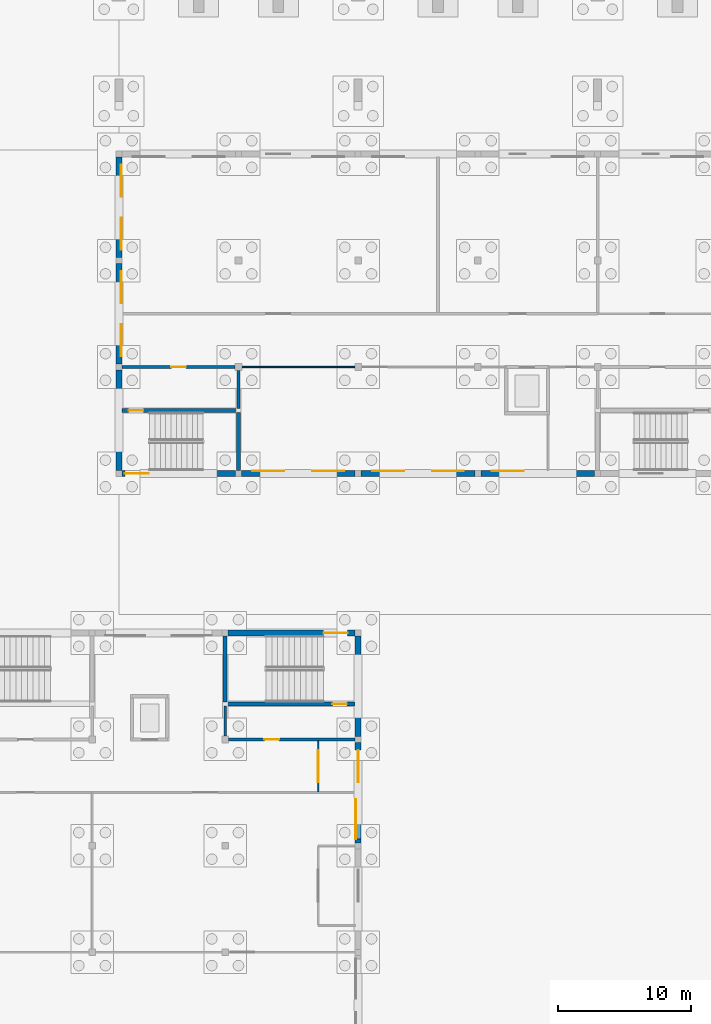
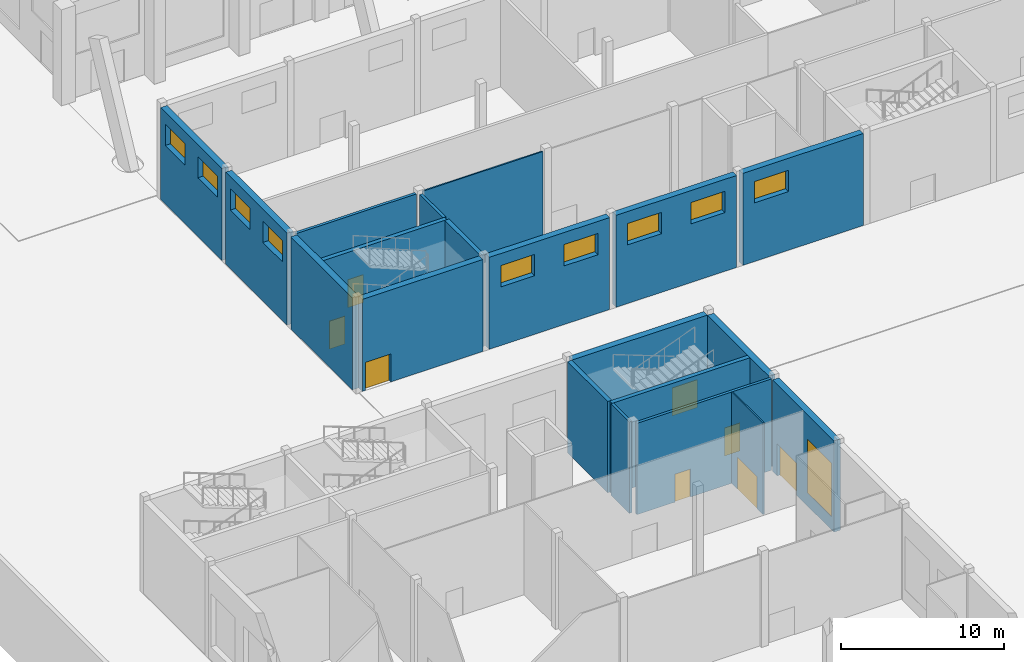
# One storey, part 168 of 239: 20 walls, 10 windows, 8 doors, 18 openings.
"""IFC4 building model written with IfcOpenShell, lengths in metres."""

import ifcopenshell
import ifcopenshell.guid

model = None  # the IFC model being written
_history = None  # IfcOwnerHistory: only IFC2X3 demands one
_inside = {}  # id of a spatial element -> (the spatial element, [elements in it])
_under = {}  # id of a project, library or spatial element -> (it, [spatial elements below it])
_declared = {}  # id of a project -> (the project, [libraries it declares])
_typed = {}  # id of a type object -> (the type object, [elements of that type])
_made_of = {}  # id of a material, layer set ... -> (it, [elements and type objects made of it])


def new_model(schema):
    """Start an empty IFC model of exactly this schema.

    Asked for "IFC4X3", IfcOpenShell would pick the latest addendum, in which some entities
    have other attributes; the version numbers below select the first issue.
    IFC2X3 requires an IfcOwnerHistory on every rooted entity: one is made here for all.
    """
    global model, _history
    if schema == "IFC4X3":
        model = ifcopenshell.file(schema_version=(4, 3, 0, 0))
    else:
        model = ifcopenshell.file(schema=schema)
    _inside.clear()
    _under.clear()
    _declared.clear()
    _typed.clear()
    _made_of.clear()
    _history = None
    if model.schema == "IFC2X3":
        org = make("IfcOrganization", Name="unknown")
        user = make(
            "IfcPersonAndOrganization",
            ThePerson=make("IfcPerson", FamilyName="unknown"),
            TheOrganization=org,
        )
        app = make(
            "IfcApplication",
            ApplicationDeveloper=org,
            Version="unknown",
            ApplicationFullName="unknown",
            ApplicationIdentifier="unknown",
        )
        _history = make(
            "IfcOwnerHistory",
            OwningUser=user,
            OwningApplication=app,
            ChangeAction="ADDED",
            CreationDate=0,
        )
    return model


def make(cls, **values):
    """One entity of the class cls with the attributes given. An attribute that is None is left unset."""
    return model.create_entity(
        cls, **{name: value for name, value in values.items() if value is not None}
    )


def rooted(cls, **values):
    """An entity with a GlobalId (a new one), such as an element, a storey or a relation."""
    return make(cls, GlobalId=ifcopenshell.guid.new(), OwnerHistory=_history, **values)


def si_unit(unit_type, name, prefix=None):
    """IfcSIUnit, for example si_unit("LENGTHUNIT", "METRE", prefix="MILLI")."""
    return make("IfcSIUnit", UnitType=unit_type, Prefix=prefix, Name=name)


def assignment(units):
    """IfcUnitAssignment: the units of a project."""
    return None if units is None else make("IfcUnitAssignment", Units=units)


def point(xyz):
    """IfcCartesianPoint."""
    return None if xyz is None else make("IfcCartesianPoint", Coordinates=xyz)


def direction(xyz):
    """IfcDirection."""
    return None if xyz is None else make("IfcDirection", DirectionRatios=xyz)


def frame(location, z_axis=None, x_axis=None):
    """IfcAxis2Placement3D, a coordinate frame: its origin and axes. An axis left out is left unset."""
    return make(
        "IfcAxis2Placement3D",
        Location=point(location),
        Axis=direction(z_axis),
        RefDirection=direction(x_axis),
    )


def frame_2d(location, x_axis=None):
    """IfcAxis2Placement2D, a coordinate frame in the plane: its origin and x axis."""
    return make(
        "IfcAxis2Placement2D", Location=point(location), RefDirection=direction(x_axis)
    )


def origin():
    """The frame at (0, 0, 0) with its axes left unset."""
    return frame((0.0, 0.0, 0.0))


def place(relative_to, where):
    """IfcLocalPlacement: puts the frame where relative to a parent placement (None: the world)."""
    return make(
        "IfcLocalPlacement", PlacementRelTo=relative_to, RelativePlacement=where
    )


def context(
    kind, dimensions, precision=None, world=None, true_north=None, identifier=None
):
    """IfcGeometricRepresentationContext, for example the 3D "Model" context."""
    return make(
        "IfcGeometricRepresentationContext",
        ContextIdentifier=identifier,
        ContextType=kind,
        CoordinateSpaceDimension=dimensions,
        Precision=precision,
        WorldCoordinateSystem=world,
        TrueNorth=true_north,
    )


def subcontext(parent, identifier, kind, view, scale=None):
    """IfcGeometricRepresentationSubContext, for example "Body" below "Model"."""
    return make(
        "IfcGeometricRepresentationSubContext",
        ContextIdentifier=identifier,
        ContextType=kind,
        ParentContext=parent,
        TargetScale=scale,
        TargetView=view,
    )


def project(units=None, contexts=None):
    """IfcProject with its units and contexts."""
    return rooted(
        "IfcProject",
        Name="project",
        RepresentationContexts=contexts,
        UnitsInContext=assignment(units),
    )


def spatial(cls, under=None, at=None, **own):
    """A site, building, storey or space (cls), placed at a placement, below another one or the project."""
    s = rooted(cls, ObjectPlacement=at, **own)
    if under is not None:
        _under.setdefault(under.id(), (under, []))[1].append(s)
    return s


def profile(cls, at=None, kind="AREA", **sizes):
    """A parametric profile (cls). Its sizes go by their IFC names, for example OverallWidth=200.0."""
    return make(cls, ProfileType=kind, Position=at, **sizes)


def rectangle(**sizes):
    """IfcRectangleProfileDef."""
    return profile("IfcRectangleProfileDef", **sizes)


def extrude(swept, where, along, depth):
    """IfcExtrudedAreaSolid: the profile swept, set in the frame where, extruded along a direction by depth."""
    return make(
        "IfcExtrudedAreaSolid",
        SweptArea=swept,
        Position=where,
        ExtrudedDirection=direction(along),
        Depth=depth,
    )


def shape(context_of_items, identifier, shape_type, items):
    """IfcShapeRepresentation: the items that make up one representation, for example the "Body"."""
    return make(
        "IfcShapeRepresentation",
        ContextOfItems=context_of_items,
        RepresentationIdentifier=identifier,
        RepresentationType=shape_type,
        Items=items,
    )


def material(Name=None, Category=None):
    """IfcMaterial."""
    return make("IfcMaterial", Name=Name, Category=Category)


def layer(
    of_material, thickness, ventilated=None, Name=None, Category=None, Priority=None
):
    """IfcMaterialLayer: one layer of a wall or slab, of a material (None: an air gap)."""
    return make(
        "IfcMaterialLayer",
        Material=of_material,
        LayerThickness=thickness,
        IsVentilated=ventilated,
        Name=Name,
        Category=Category,
        Priority=Priority,
    )


def layer_set(layers, Name=None):
    """IfcMaterialLayerSet."""
    return make("IfcMaterialLayerSet", MaterialLayers=layers, LayerSetName=Name)


def made_of(thing, what):
    """Note that an element or type object is made of a material, layer set ...; save() writes the relation."""
    if what is not None:
        _made_of.setdefault(what.id(), (what, []))[1].append(thing)
    return thing


def type_object(cls, material=None, **own):
    """A type object (cls), such as IfcWallType, which elements share."""
    return made_of(rooted(cls, **own), material)


def element(
    cls,
    number,
    at=None,
    inside=None,
    cuts=None,
    type_object=None,
    material=None,
    context=None,
    identifier="Body",
    shape_type=None,
    held_by="IfcProductDefinitionShape",
    body=None,
    shapes=None,
    **own,
):
    """One element of the class cls, such as IfcWall. Its Tag is "e" and its number.

    at: its placement. inside: the storey or other place that contains it. cuts: it is an
    opening in that element (IfcRelVoidsElement). A single representation is given by context,
    identifier, shape_type and body (its items); several are given by shapes. held_by: the class
    of the entity that holds the representations. save() writes the other relations.
    """
    e = rooted(cls, Tag="e%d" % number, ObjectPlacement=at, **own)
    if body is not None:
        shapes = [shape(context, identifier, shape_type, body)]
    if shapes is not None:
        e.Representation = make(held_by, Representations=shapes)
    if inside is not None:
        _inside.setdefault(inside.id(), (inside, []))[1].append(e)
    if cuts is not None:
        rooted(
            "IfcRelVoidsElement", RelatingBuildingElement=cuts, RelatedOpeningElement=e
        )
    if type_object is not None:
        _typed.setdefault(type_object.id(), (type_object, []))[1].append(e)
    return made_of(e, material)


def fill(opening, filler):
    """IfcRelFillsElement: the door or window that sits in an opening."""
    return rooted(
        "IfcRelFillsElement",
        RelatingOpeningElement=opening,
        RelatedBuildingElement=filler,
    )


def aggregate(whole, parts):
    """IfcRelAggregates: a whole, such as a stair, and the parts it consists of."""
    return rooted("IfcRelAggregates", RelatingObject=whole, RelatedObjects=parts)


def save(model, path):
    """Write the relations noted so far, then the file.

    IfcRelAggregates (storeys below a building ...), IfcRelContainedInSpatialStructure (elements
    in a storey), IfcRelDefinesByType, IfcRelAssociatesMaterial and IfcRelDeclares: one each for
    every whole, place, type object, material and project.
    """
    for whole, parts in _under.values():
        aggregate(whole, parts)
    for where, things in _inside.values():
        rooted(
            "IfcRelContainedInSpatialStructure",
            RelatedElements=things,
            RelatingStructure=where,
        )
    for kind, things in _typed.values():
        rooted("IfcRelDefinesByType", RelatedObjects=things, RelatingType=kind)
    for what, things in _made_of.values():
        rooted("IfcRelAssociatesMaterial", RelatedObjects=things, RelatingMaterial=what)
    for by, libraries in _declared.values():
        rooted("IfcRelDeclares", RelatingContext=by, RelatedDefinitions=libraries)
    model.write(path)


model = new_model("IFC4")

# Units and contexts
model_context = context("Model", 3, precision=1e-05, world=origin(), true_north=direction((0.0, 1.0)))
body_context = subcontext(model_context, "Body", "Model", "MODEL_VIEW")
ifc_project = project(units=[si_unit("LENGTHUNIT", "METRE"), si_unit("AREAUNIT", "SQUARE_METRE"), si_unit("VOLUMEUNIT", "CUBIC_METRE"), si_unit("PLANEANGLEUNIT", "RADIAN"), si_unit("MASSUNIT", "GRAM", prefix="KILO")], contexts=[model_context])

# Site, building, storey
site_placement = place(None, origin())
site = spatial("IfcSite", under=ifc_project, at=site_placement, CompositionType="ELEMENT")
building_placement = place(site_placement, origin())
building = spatial("IfcBuilding", under=site, at=building_placement, Name="Okhra Congress Centre", CompositionType="ELEMENT")
storey_placement = place(building_placement, origin())
storey = spatial("IfcBuildingStorey", under=building, at=storey_placement, Name="L00", CompositionType="ELEMENT", Elevation=0.0)

# Wall, opening, door
ifc_material_1 = material(Name="Masonry blockwork (aerated concrete D500)", Category="masonry")
ifc_layer_1 = layer(ifc_material_1, 0.199951171875)
ifc_layer_set_1 = layer_set([ifc_layer_1], Name="Masonry block wall 200 EI 45")
wall_type_1 = type_object("IfcWallType", Name="Masonry block wall 200 EI 45", PredefinedType="SOLIDWALL", material=ifc_layer_set_1)
wall_1_placement = place(storey_placement, frame((28.22509765625, 104.0, 0.0), z_axis=(0.0, 0.0, 1.0), x_axis=(1.0, 0.0, 0.0)))
wall_1 = element("IfcWall", 1, at=wall_1_placement, inside=storey, type_object=wall_type_1, Name="SV.WALL.L00.15", PredefinedType="SOLIDWALL", context=body_context, shape_type="SweptSolid", body=[
    extrude(rectangle(XDim=8.52490234375, YDim=0.199951171875, at=frame_2d((4.262451171875, 0.0))), origin(), (0.0, 0.0, 1.0), 6.89990234375),
])
opening_1_placement = place(wall_1_placement, frame((3.72509765625, 0.0, 0.0)))
opening_1 = element("IfcOpeningElement", 2, at=opening_1_placement, cuts=wall_1, Name="Opening L00-135", PredefinedType="OPENING", context=body_context, shape_type="SweptSolid", body=[
    extrude(rectangle(XDim=1.10009765625, YDim=2.10009765625, at=frame_2d((0.550048828125, 1.050048828125))), frame((0.0, 0.10986328125, 0.0), z_axis=(0.0, -1.0, 0.0), x_axis=(1.0, 0.0, 0.0)), (0.0, 0.0, 1.0), 0.219970703125),
])
ifc_material_2 = material(Name="Steel fire door leaf in steel frame, intumescent seals", Category="steel")
door_type_1 = type_object("IfcDoorType", Name="Steel fire door 1100x2100 EI 30", OperationType="NOTDEFINED", PredefinedType="DOOR", material=ifc_material_2)
door_1_placement = place(opening_1_placement, frame((1.10009765625, 0.0, 0.0), z_axis=(0.0, 0.0, 1.0), x_axis=(-1.0, 0.0, 0.0)))
door_1 = element("IfcDoor", 3, at=door_1_placement, inside=storey, type_object=door_type_1, Name="Stair A lobby door", OperationType="SINGLE_SWING_RIGHT", OverallHeight=2.10009765625, OverallWidth=1.10009765625, PredefinedType="DOOR", context=body_context, shape_type="SweptSolid", body=[
    extrude(rectangle(XDim=1.10009765625, YDim=2.10009765625, at=frame_2d((0.550048828125, 1.050048828125))), frame((0.0, 0.02490234375, 0.0), z_axis=(0.0, -1.0, 0.0), x_axis=(1.0, 0.0, 0.0)), (0.0, 0.0, 1.0), 0.050048828125),
])
fill(opening_1, door_1)

# Wall
wall_2_placement = place(storey_placement, frame((37.0, 100.875, 0.0), z_axis=(0.0, 0.0, 1.0), x_axis=(0.0, 1.0, 0.0)))
element("IfcWall", 4, at=wall_2_placement, inside=storey, type_object=wall_type_1, Name="SV.WALL.L00.46", PredefinedType="SOLIDWALL", context=body_context, shape_type="SweptSolid", body=[
    extrude(rectangle(XDim=2.875, YDim=0.199951171875, at=frame_2d((1.4375, 0.0))), origin(), (0.0, 0.0, 1.0), 6.89990234375),
])

# Wall, opening, door
wall_3_placement = place(storey_placement, frame((36.25, 76.0, 0.0), z_axis=(0.0, 0.0, 1.0), x_axis=(1.0, 0.0, 0.0)))
wall_3 = element("IfcWall", 5, at=wall_3_placement, inside=storey, type_object=wall_type_1, Name="RS.WALL.L00.22", PredefinedType="SOLIDWALL", context=body_context, shape_type="SweptSolid", body=[
    extrude(rectangle(XDim=9.52490234375, YDim=0.199951171875, at=frame_2d((4.762451171875, 0.0))), origin(), (0.0, 0.0, 1.0), 6.85009765625),
])
opening_2_placement = place(wall_3_placement, frame((2.699951171875, 0.0, 0.0)))
opening_2 = element("IfcOpeningElement", 6, at=opening_2_placement, cuts=wall_3, Name="Opening L00-172", PredefinedType="OPENING", context=body_context, shape_type="SweptSolid", body=[
    extrude(rectangle(XDim=1.10009765625, YDim=2.10009765625, at=frame_2d((0.550048828125, 1.050048828125))), frame((0.0, 0.10986328125, 0.0), z_axis=(0.0, -1.0, 0.0), x_axis=(1.0, 0.0, 0.0)), (0.0, 0.0, 1.0), 0.219970703125),
])
door_2_placement = place(opening_2_placement, origin())
door_2 = element("IfcDoor", 7, at=door_2_placement, inside=storey, type_object=door_type_1, Name="Door L00-172", OperationType="SINGLE_SWING_LEFT", OverallHeight=2.10009765625, OverallWidth=1.10009765625, PredefinedType="DOOR", context=body_context, shape_type="SweptSolid", body=[
    extrude(rectangle(XDim=1.10009765625, YDim=2.10009765625, at=frame_2d((0.550048828125, 1.050048828125))), frame((0.0, 0.02490234375, 0.0), z_axis=(0.0, -1.0, 0.0), x_axis=(1.0, 0.0, 0.0)), (0.0, 0.0, 1.0), 0.050048828125),
])
fill(opening_2, door_2)

# Walls
wall_4_placement = place(storey_placement, frame((36.0, 76.25, 0.0), z_axis=(0.0, 0.0, 1.0), x_axis=(0.0, 1.0, 0.0)))
element("IfcWall", 8, at=wall_4_placement, inside=storey, type_object=wall_type_1, Name="RS.WALL.L00.54", PredefinedType="SOLIDWALL", context=body_context, shape_type="SweptSolid", body=[
    extrude(rectangle(XDim=2.27490234375, YDim=0.199951171875, at=frame_2d((1.137451171875, 0.0))), origin(), (0.0, 0.0, 1.0), 6.85009765625),
])
ifc_material_3 = material(Name="Gypsum board on steel studs", Category="steel")
ifc_layer_2 = layer(ifc_material_3, 0.10009765625)
ifc_layer_set_2 = layer_set([ifc_layer_2], Name="Partition 100 EI 15")
wall_type_2 = type_object("IfcWallType", Name="Partition 100 EI 15", PredefinedType="PARTITIONING", material=ifc_layer_set_2)
wall_5_placement = place(storey_placement, frame((37.25, 104.0, 0.0), z_axis=(0.0, 0.0, 1.0), x_axis=(1.0, 0.0, 0.0)))
element("IfcWall", 9, at=wall_5_placement, inside=storey, type_object=wall_type_2, Name="SV.WALL.L00.16", PredefinedType="PARTITIONING", context=body_context, shape_type="SweptSolid", body=[
    extrude(rectangle(XDim=8.5, YDim=0.10009765625, at=frame_2d((4.25, 0.0))), origin(), (0.0, 0.0, 1.0), 6.89990234375),
])

# Wall, opening, door
wall_6_placement = place(storey_placement, frame((43.0, 72.050048828125, 0.0), z_axis=(0.0, 0.0, 1.0), x_axis=(0.0, 1.0, 0.0)))
wall_6 = element("IfcWall", 10, at=wall_6_placement, inside=storey, type_object=wall_type_2, Name="RS.WALL.L00.59", PredefinedType="PARTITIONING", context=body_context, shape_type="SweptSolid", body=[
    extrude(rectangle(XDim=3.849853515625, YDim=0.10009765625, at=frame_2d((1.9248046875, 0.0))), origin(), (0.0, 0.0, 1.0), 6.85009765625),
])
opening_3_placement = place(wall_6_placement, frame((0.75, 0.0, 0.0)))
opening_3 = element("IfcOpeningElement", 11, at=opening_3_placement, cuts=wall_6, Name="Opening L00-192", PredefinedType="OPENING", context=body_context, shape_type="SweptSolid", body=[
    extrude(rectangle(XDim=2.39990234375, YDim=2.39990234375, at=frame_2d((1.199951171875, 1.199951171875))), frame((0.0, 0.06005859375, 0.0), z_axis=(0.0, -1.0, 0.0), x_axis=(1.0, 0.0, 0.0)), (0.0, 0.0, 1.0), 0.1201171875),
])
ifc_material_4 = material(Name="Aluminium-framed toughened glass door leaves", Category="aluminium")
door_type_2 = type_object("IfcDoorType", Name="Aluminium glazed door pair 2400x2400", OperationType="NOTDEFINED", PredefinedType="DOOR", material=ifc_material_4)
door_3_placement = place(opening_3_placement, frame((2.39990234375, 0.0, 0.0), z_axis=(0.0, 0.0, 1.0), x_axis=(-1.0, 0.0, 0.0)))
door_3 = element("IfcDoor", 12, at=door_3_placement, inside=storey, type_object=door_type_2, Name="Door L00-192", OperationType="DOUBLE_DOOR_SINGLE_SWING", OverallHeight=2.39990234375, OverallWidth=2.39990234375, PredefinedType="DOOR", context=body_context, shape_type="SweptSolid", body=[
    extrude(rectangle(XDim=2.39990234375, YDim=2.39990234375, at=frame_2d((1.199951171875, 1.199951171875))), frame((0.0, 0.02490234375, 0.0), z_axis=(0.0, -1.0, 0.0), x_axis=(1.0, 0.0, 0.0)), (0.0, 0.0, 1.0), 0.050048828125),
])
fill(opening_3, door_3)

ifc_material_5 = material(Name="Concrete C35/45", Category="concrete")
ifc_layer_3 = layer(ifc_material_5, 0.300048828125)
ifc_layer_set_3 = layer_set([ifc_layer_3], Name="RC core wall 300 REI 120 C35/45")
wall_type_3 = type_object("IfcWallType", Name="RC core wall 300 REI 120 C35/45", PredefinedType="SHEAR", material=ifc_layer_set_3)
wall_7_placement = place(storey_placement, frame((28.22509765625, 100.72509765625, 0.0), z_axis=(0.0, 0.0, 1.0), x_axis=(1.0, 0.0, 0.0)))
wall_7 = element("IfcWall", 13, at=wall_7_placement, inside=storey, type_object=wall_type_3, Name="SV.WALL.L00.12", PredefinedType="SHEAR", context=body_context, shape_type="SweptSolid", body=[
    extrude(rectangle(XDim=8.77490234375, YDim=0.300048828125, at=frame_2d((4.387451171875, 0.0))), origin(), (0.0, 0.0, 1.0), 6.89990234375),
])
opening_4_placement = place(wall_7_placement, frame((0.52490234375, 0.0, 0.0)))
opening_4 = element("IfcOpeningElement", 14, at=opening_4_placement, cuts=wall_7, Name="Opening L00-136", PredefinedType="OPENING", context=body_context, shape_type="SweptSolid", body=[
    extrude(rectangle(XDim=1.10009765625, YDim=2.10009765625, at=frame_2d((0.550048828125, 1.050048828125))), frame((0.0, 0.159912109375, 0.0), z_axis=(0.0, -1.0, 0.0), x_axis=(1.0, 0.0, 0.0)), (0.0, 0.0, 1.0), 0.320068359375),
])
door_4_placement = place(opening_4_placement, frame((1.10009765625, 0.0, 0.0), z_axis=(0.0, 0.0, 1.0), x_axis=(-1.0, 0.0, 0.0)))
door_4 = element("IfcDoor", 15, at=door_4_placement, inside=storey, type_object=door_type_1, Name="Door L00-136", OperationType="SINGLE_SWING_LEFT", OverallHeight=2.10009765625, OverallWidth=1.10009765625, PredefinedType="DOOR", context=body_context, shape_type="SweptSolid", body=[
    extrude(rectangle(XDim=1.10009765625, YDim=2.10009765625, at=frame_2d((0.550048828125, 1.050048828125))), frame((0.0, 0.02490234375, 0.0), z_axis=(0.0, -1.0, 0.0), x_axis=(1.0, 0.0, 0.0)), (0.0, 0.0, 1.0), 0.050048828125),
])
fill(opening_4, door_4)

# Wall
wall_8_placement = place(storey_placement, frame((37.0, 96.22509765625, 0.0), z_axis=(0.0, 0.0, 1.0), x_axis=(0.0, 1.0, 0.0)))
element("IfcWall", 16, at=wall_8_placement, inside=storey, type_object=wall_type_3, Name="SV.WALL.L00.45", PredefinedType="SHEAR", context=body_context, shape_type="SweptSolid", body=[
    extrude(rectangle(XDim=4.349853515625, YDim=0.300048828125, at=frame_2d((2.1748046875, 0.0))), origin(), (0.0, 0.0, 1.0), 6.89990234375),
])

# Wall, opening, door
wall_9_placement = place(storey_placement, frame((36.0, 78.675048828125, 0.0), z_axis=(0.0, 0.0, 1.0), x_axis=(1.0, 0.0, 0.0)))
wall_9 = element("IfcWall", 17, at=wall_9_placement, inside=storey, type_object=wall_type_3, Name="RS.WALL.L00.24", PredefinedType="SHEAR", context=body_context, shape_type="SweptSolid", body=[
    extrude(rectangle(XDim=9.77490234375, YDim=0.300048828125, at=frame_2d((4.887451171875, 0.0))), origin(), (0.0, 0.0, 1.0), 6.85009765625),
])
opening_5_placement = place(wall_9_placement, frame((8.050048828125, 0.0, 0.0)))
opening_5 = element("IfcOpeningElement", 18, at=opening_5_placement, cuts=wall_9, Name="Opening L00-173", PredefinedType="OPENING", context=body_context, shape_type="SweptSolid", body=[
    extrude(rectangle(XDim=1.10009765625, YDim=2.10009765625, at=frame_2d((0.550048828125, 1.050048828125))), frame((0.0, 0.159912109375, 0.0), z_axis=(0.0, -1.0, 0.0), x_axis=(1.0, 0.0, 0.0)), (0.0, 0.0, 1.0), 0.320068359375),
])
door_5_placement = place(opening_5_placement, origin())
door_5 = element("IfcDoor", 19, at=door_5_placement, inside=storey, type_object=door_type_1, Name="Door L00-173", OperationType="SINGLE_SWING_RIGHT", OverallHeight=2.10009765625, OverallWidth=1.10009765625, PredefinedType="DOOR", context=body_context, shape_type="SweptSolid", body=[
    extrude(rectangle(XDim=1.10009765625, YDim=2.10009765625, at=frame_2d((0.550048828125, 1.050048828125))), frame((0.0, 0.02490234375, 0.0), z_axis=(0.0, -1.0, 0.0), x_axis=(1.0, 0.0, 0.0)), (0.0, 0.0, 1.0), 0.050048828125),
])
fill(opening_5, door_5)

# Wall
wall_10_placement = place(storey_placement, frame((36.0, 78.824951171875, 0.0), z_axis=(0.0, 0.0, 1.0), x_axis=(0.0, 1.0, 0.0)))
element("IfcWall", 20, at=wall_10_placement, inside=storey, type_object=wall_type_3, Name="RS.WALL.L00.55", PredefinedType="SHEAR", context=body_context, shape_type="SweptSolid", body=[
    extrude(rectangle(XDim=4.949951171875, YDim=0.300048828125, at=frame_2d((2.47509765625, 0.0))), origin(), (0.0, 0.0, 1.0), 6.85009765625),
])

# Wall, opening, door
ifc_material_6 = material(Name="Concrete C30/37", Category="concrete")
ifc_layer_4 = layer(ifc_material_6, 0.449951171875)
ifc_layer_set_4 = layer_set([ifc_layer_4], Name="RC facade wall 450 REI 120 C30/37")
wall_type_4 = type_object("IfcWallType", Name="RC facade wall 450 REI 120 C30/37", PredefinedType="SOLIDWALL", material=ifc_layer_set_4)
wall_11_placement = place(storey_placement, frame((28.22509765625, 96.0, 0.0), z_axis=(0.0, 0.0, 1.0), x_axis=(1.0, 0.0, 0.0)))
wall_11 = element("IfcWall", 21, at=wall_11_placement, inside=storey, type_object=wall_type_4, Name="SV.WALL.L00.1", PredefinedType="SOLIDWALL", context=body_context, shape_type="SweptSolid", body=[
    extrude(rectangle(XDim=8.5498046875, YDim=0.449951171875, at=frame_2d((4.27490234375, 0.0))), origin(), (0.0, 0.0, 1.0), 6.89990234375),
])
opening_6_placement = place(wall_11_placement, frame((0.22509765625, 0.0, 0.0)))
opening_6 = element("IfcOpeningElement", 22, at=opening_6_placement, cuts=wall_11, Name="Opening L00-141", PredefinedType="OPENING", context=body_context, shape_type="SweptSolid", body=[
    extrude(rectangle(XDim=1.800048828125, YDim=2.10009765625, at=frame_2d((0.89990234375, 1.050048828125))), frame((0.0, 0.23486328125, 0.0), z_axis=(0.0, -1.0, 0.0), x_axis=(1.0, 0.0, 0.0)), (0.0, 0.0, 1.0), 0.469970703125),
])
ifc_material_7 = material(Name="Steel fire door leaves in steel frame, intumescent seals", Category="steel")
door_type_3 = type_object("IfcDoorType", Name="Steel fire door pair 1800x2100 EI 30", OperationType="NOTDEFINED", PredefinedType="DOOR", material=ifc_material_7)
door_6_placement = place(opening_6_placement, frame((1.800048828125, 0.0, 0.0), z_axis=(0.0, 0.0, 1.0), x_axis=(-1.0, 0.0, 0.0)))
door_6 = element("IfcDoor", 23, at=door_6_placement, inside=storey, type_object=door_type_3, Name="Door L00-141", OperationType="DOUBLE_DOOR_SINGLE_SWING", OverallHeight=2.10009765625, OverallWidth=1.800048828125, PredefinedType="DOOR", context=body_context, shape_type="SweptSolid", body=[
    extrude(rectangle(XDim=1.800048828125, YDim=2.10009765625, at=frame_2d((0.89990234375, 1.050048828125))), frame((0.0, 0.02490234375, 0.0), z_axis=(0.0, -1.0, 0.0), x_axis=(1.0, 0.0, 0.0)), (0.0, 0.0, 1.0), 0.050048828125),
])
fill(opening_6, door_6)

# Wall
wall_12_placement = place(storey_placement, frame((28.0, 103.77490234375, 0.0), z_axis=(0.0, 0.0, 1.0), x_axis=(0.0, -1.0, 0.0)))
element("IfcWall", 24, at=wall_12_placement, inside=storey, type_object=wall_type_4, Name="SV.WALL.L00.42", PredefinedType="SOLIDWALL", context=body_context, shape_type="SweptSolid", body=[
    extrude(rectangle(XDim=7.5498046875, YDim=0.449951171875, at=frame_2d((3.77490234375, 0.0))), origin(), (0.0, 0.0, 1.0), 6.89990234375),
])

# Wall, opening, door
wall_13_placement = place(storey_placement, frame((45.77490234375, 84.0, 0.0), z_axis=(0.0, 0.0, 1.0), x_axis=(-1.0, 0.0, 0.0)))
wall_13 = element("IfcWall", 25, at=wall_13_placement, inside=storey, type_object=wall_type_4, Name="RS.WALL.L00.29", PredefinedType="SOLIDWALL", context=body_context, shape_type="SweptSolid", body=[
    extrude(rectangle(XDim=9.5498046875, YDim=0.449951171875, at=frame_2d((4.77490234375, 0.0))), origin(), (0.0, 0.0, 1.0), 6.85009765625),
])
opening_7_placement = place(wall_13_placement, frame((0.574951171875, 0.0, 0.0)))
opening_7 = element("IfcOpeningElement", 26, at=opening_7_placement, cuts=wall_13, Name="Opening L00-196", PredefinedType="OPENING", context=body_context, shape_type="SweptSolid", body=[
    extrude(rectangle(XDim=1.800048828125, YDim=2.10009765625, at=frame_2d((0.89990234375, 1.050048828125))), frame((0.0, 0.23486328125, 0.0), z_axis=(0.0, -1.0, 0.0), x_axis=(1.0, 0.0, 0.0)), (0.0, 0.0, 1.0), 0.469970703125),
])
door_7_placement = place(opening_7_placement, frame((1.800048828125, 0.0, 0.0), z_axis=(0.0, 0.0, 1.0), x_axis=(-1.0, 0.0, 0.0)))
door_7 = element("IfcDoor", 27, at=door_7_placement, inside=storey, type_object=door_type_3, Name="Door L00-196", OperationType="DOUBLE_DOOR_SINGLE_SWING", OverallHeight=2.10009765625, OverallWidth=1.800048828125, PredefinedType="DOOR", context=body_context, shape_type="SweptSolid", body=[
    extrude(rectangle(XDim=1.800048828125, YDim=2.10009765625, at=frame_2d((0.89990234375, 1.050048828125))), frame((0.0, 0.02490234375, 0.0), z_axis=(0.0, -1.0, 0.0), x_axis=(1.0, 0.0, 0.0)), (0.0, 0.0, 1.0), 0.050048828125),
])
fill(opening_7, door_7)

# Wall
wall_14_placement = place(storey_placement, frame((46.0, 76.22509765625, 0.0), z_axis=(0.0, 0.0, 1.0), x_axis=(0.0, 1.0, 0.0)))
element("IfcWall", 28, at=wall_14_placement, inside=storey, type_object=wall_type_4, Name="RS.WALL.L00.66", PredefinedType="SOLIDWALL", context=body_context, shape_type="SweptSolid", body=[
    extrude(rectangle(XDim=7.5498046875, YDim=0.449951171875, at=frame_2d((3.77490234375, 0.0))), origin(), (0.0, 0.0, 1.0), 6.85009765625),
])

# Wall, openings, windows
ifc_material_8 = material(Name="Render on mineral wool insulation over masonry backing", Category="masonry")
ifc_layer_5 = layer(ifc_material_8, 0.449951171875)
ifc_layer_set_5 = layer_set([ifc_layer_5], Name="Rendered insulated wall 450")
wall_type_5 = type_object("IfcWallType", Name="Rendered insulated wall 450", PredefinedType="SOLIDWALL", material=ifc_layer_set_5)
wall_15_placement = place(storey_placement, frame((37.22509765625, 96.0, 0.0), z_axis=(0.0, 0.0, 1.0), x_axis=(1.0, 0.0, 0.0)))
wall_15 = element("IfcWall", 29, at=wall_15_placement, inside=storey, type_object=wall_type_5, Name="SV.WALL.L00.2", PredefinedType="SOLIDWALL", context=body_context, shape_type="SweptSolid", body=[
    extrude(rectangle(XDim=8.5498046875, YDim=0.449951171875, at=frame_2d((4.27490234375, 0.0))), origin(), (0.0, 0.0, 1.0), 6.89990234375),
])
opening_8_placement = place(wall_15_placement, frame((0.824951171875, 0.0, 4.39990234375)))
opening_8 = element("IfcOpeningElement", 30, at=opening_8_placement, cuts=wall_15, Name="Opening WN14", PredefinedType="OPENING", context=body_context, shape_type="SweptSolid", body=[
    extrude(rectangle(XDim=2.39990234375, YDim=1.60009765625, at=frame_2d((1.199951171875, 0.800048828125))), frame((0.0, 0.23486328125, 0.0), z_axis=(0.0, -1.0, 0.0), x_axis=(1.0, 0.0, 0.0)), (0.0, 0.0, 1.0), 0.469970703125),
])
opening_9_placement = place(wall_15_placement, frame((5.324951171875, 0.0, 4.39990234375)))
opening_9 = element("IfcOpeningElement", 31, at=opening_9_placement, cuts=wall_15, Name="Opening WN14", PredefinedType="OPENING", context=body_context, shape_type="SweptSolid", body=[
    extrude(rectangle(XDim=2.39990234375, YDim=1.60009765625, at=frame_2d((1.199951171875, 0.800048828125))), frame((0.0, 0.23486328125, 0.0), z_axis=(0.0, -1.0, 0.0), x_axis=(1.0, 0.0, 0.0)), (0.0, 0.0, 1.0), 0.469970703125),
])
ifc_material_9 = material(Name="Thermally broken aluminium frame, triple glazing", Category="aluminium")
window_type_1 = type_object("IfcWindowType", Name="Fixed window 2400x1600", PartitioningType="SINGLE_PANEL", PredefinedType="WINDOW", material=ifc_material_9)
window_1_placement = place(opening_8_placement, origin())
window_1 = element("IfcWindow", 32, at=window_1_placement, inside=storey, type_object=window_type_1, Name="SV.WIN.L00.1", OverallHeight=1.60009765625, OverallWidth=2.39990234375, PartitioningType="SINGLE_PANEL", PredefinedType="WINDOW", context=body_context, shape_type="SweptSolid", body=[
    extrude(rectangle(XDim=2.39990234375, YDim=1.60009765625, at=frame_2d((1.199951171875, 0.800048828125))), frame((0.0, 0.215087890625, 0.0), z_axis=(0.0, -1.0, 0.0), x_axis=(1.0, 0.0, 0.0)), (0.0, 0.0, 1.0), 0.06005859375),
])
fill(opening_8, window_1)
window_2_placement = place(opening_9_placement, origin())
window_2 = element("IfcWindow", 33, at=window_2_placement, inside=storey, type_object=window_type_1, Name="SV.WIN.L00.2", OverallHeight=1.60009765625, OverallWidth=2.39990234375, PartitioningType="SINGLE_PANEL", PredefinedType="WINDOW", context=body_context, shape_type="SweptSolid", body=[
    extrude(rectangle(XDim=2.39990234375, YDim=1.60009765625, at=frame_2d((1.199951171875, 0.800048828125))), frame((0.0, 0.215087890625, 0.0), z_axis=(0.0, -1.0, 0.0), x_axis=(1.0, 0.0, 0.0)), (0.0, 0.0, 1.0), 0.06005859375),
])
fill(opening_9, window_2)

wall_16_placement = place(storey_placement, frame((46.22509765625, 96.0, 0.0), z_axis=(0.0, 0.0, 1.0), x_axis=(1.0, 0.0, 0.0)))
wall_16 = element("IfcWall", 34, at=wall_16_placement, inside=storey, type_object=wall_type_5, Name="SV.WALL.L00.3", PredefinedType="SOLIDWALL", context=body_context, shape_type="SweptSolid", body=[
    extrude(rectangle(XDim=8.5498046875, YDim=0.449951171875, at=frame_2d((4.27490234375, 0.0))), origin(), (0.0, 0.0, 1.0), 6.89990234375),
])
opening_10_placement = place(wall_16_placement, frame((0.824951171875, 0.0, 4.39990234375)))
opening_10 = element("IfcOpeningElement", 35, at=opening_10_placement, cuts=wall_16, Name="Opening WN14", PredefinedType="OPENING", context=body_context, shape_type="SweptSolid", body=[
    extrude(rectangle(XDim=2.39990234375, YDim=1.60009765625, at=frame_2d((1.199951171875, 0.800048828125))), frame((0.0, 0.23486328125, 0.0), z_axis=(0.0, -1.0, 0.0), x_axis=(1.0, 0.0, 0.0)), (0.0, 0.0, 1.0), 0.469970703125),
])
opening_11_placement = place(wall_16_placement, frame((5.324951171875, 0.0, 4.39990234375)))
opening_11 = element("IfcOpeningElement", 36, at=opening_11_placement, cuts=wall_16, Name="Opening WN14", PredefinedType="OPENING", context=body_context, shape_type="SweptSolid", body=[
    extrude(rectangle(XDim=2.39990234375, YDim=1.60009765625, at=frame_2d((1.199951171875, 0.800048828125))), frame((0.0, 0.23486328125, 0.0), z_axis=(0.0, -1.0, 0.0), x_axis=(1.0, 0.0, 0.0)), (0.0, 0.0, 1.0), 0.469970703125),
])
window_3_placement = place(opening_10_placement, origin())
window_3 = element("IfcWindow", 37, at=window_3_placement, inside=storey, type_object=window_type_1, Name="SV.WIN.L00.3", OverallHeight=1.60009765625, OverallWidth=2.39990234375, PartitioningType="SINGLE_PANEL", PredefinedType="WINDOW", context=body_context, shape_type="SweptSolid", body=[
    extrude(rectangle(XDim=2.39990234375, YDim=1.60009765625, at=frame_2d((1.199951171875, 0.800048828125))), frame((0.0, 0.215087890625, 0.0), z_axis=(0.0, -1.0, 0.0), x_axis=(1.0, 0.0, 0.0)), (0.0, 0.0, 1.0), 0.06005859375),
])
fill(opening_10, window_3)
window_4_placement = place(opening_11_placement, origin())
window_4 = element("IfcWindow", 38, at=window_4_placement, inside=storey, type_object=window_type_1, Name="SV.WIN.L00.4", OverallHeight=1.60009765625, OverallWidth=2.39990234375, PartitioningType="SINGLE_PANEL", PredefinedType="WINDOW", context=body_context, shape_type="SweptSolid", body=[
    extrude(rectangle(XDim=2.39990234375, YDim=1.60009765625, at=frame_2d((1.199951171875, 0.800048828125))), frame((0.0, 0.215087890625, 0.0), z_axis=(0.0, -1.0, 0.0), x_axis=(1.0, 0.0, 0.0)), (0.0, 0.0, 1.0), 0.06005859375),
])
fill(opening_11, window_4)

# Wall, opening, window
wall_17_placement = place(storey_placement, frame((55.22509765625, 96.0, 0.0), z_axis=(0.0, 0.0, 1.0), x_axis=(1.0, 0.0, 0.0)))
wall_17 = element("IfcWall", 39, at=wall_17_placement, inside=storey, type_object=wall_type_5, Name="SV.WALL.L00.4", PredefinedType="SOLIDWALL", context=body_context, shape_type="SweptSolid", body=[
    extrude(rectangle(XDim=8.5498046875, YDim=0.449951171875, at=frame_2d((4.27490234375, 0.0))), origin(), (0.0, 0.0, 1.0), 6.89990234375),
])
opening_12_placement = place(wall_17_placement, frame((0.824951171875, 0.0, 4.39990234375)))
opening_12 = element("IfcOpeningElement", 40, at=opening_12_placement, cuts=wall_17, Name="Opening WN14", PredefinedType="OPENING", context=body_context, shape_type="SweptSolid", body=[
    extrude(rectangle(XDim=2.39990234375, YDim=1.60009765625, at=frame_2d((1.199951171875, 0.800048828125))), frame((0.0, 0.23486328125, 0.0), z_axis=(0.0, -1.0, 0.0), x_axis=(1.0, 0.0, 0.0)), (0.0, 0.0, 1.0), 0.469970703125),
])
window_5_placement = place(opening_12_placement, origin())
window_5 = element("IfcWindow", 41, at=window_5_placement, inside=storey, type_object=window_type_1, Name="SV.WIN.L00.5", OverallHeight=1.60009765625, OverallWidth=2.39990234375, PartitioningType="SINGLE_PANEL", PredefinedType="WINDOW", context=body_context, shape_type="SweptSolid", body=[
    extrude(rectangle(XDim=2.39990234375, YDim=1.60009765625, at=frame_2d((1.199951171875, 0.800048828125))), frame((0.0, 0.215087890625, 0.0), z_axis=(0.0, -1.0, 0.0), x_axis=(1.0, 0.0, 0.0)), (0.0, 0.0, 1.0), 0.06005859375),
])
fill(opening_12, window_5)

# Wall, openings, door, window
wall_18_placement = place(storey_placement, frame((46.0, 68.22509765625, 0.0), z_axis=(0.0, 0.0, 1.0), x_axis=(0.0, 1.0, 0.0)))
wall_18 = element("IfcWall", 42, at=wall_18_placement, inside=storey, type_object=wall_type_5, Name="RS.WALL.L00.65", PredefinedType="SOLIDWALL", context=body_context, shape_type="SweptSolid", body=[
    extrude(rectangle(XDim=7.5498046875, YDim=0.449951171875, at=frame_2d((3.77490234375, 0.0))), origin(), (0.0, 0.0, 1.0), 6.85009765625),
])
opening_13_placement = place(wall_18_placement, frame((4.574951171875, 0.0, 0.0)))
opening_13 = element("IfcOpeningElement", 43, at=opening_13_placement, cuts=wall_18, Name="Opening L00-193", PredefinedType="OPENING", context=body_context, shape_type="SweptSolid", body=[
    extrude(rectangle(XDim=2.39990234375, YDim=2.39990234375, at=frame_2d((1.199951171875, 1.199951171875))), frame((0.0, 0.23486328125, 0.0), z_axis=(0.0, -1.0, 0.0), x_axis=(1.0, 0.0, 0.0)), (0.0, 0.0, 1.0), 0.469970703125),
])
opening_14_placement = place(wall_18_placement, frame((0.27490234375, 0.0, 1.0)))
opening_14 = element("IfcOpeningElement", 44, at=opening_14_placement, cuts=wall_18, Name="Opening WN12", PredefinedType="OPENING", context=body_context, shape_type="SweptSolid", body=[
    extrude(rectangle(XDim=3.0, YDim=4.0, at=frame_2d((1.5, 2.0))), frame((0.0, 0.23486328125, 0.0), z_axis=(0.0, -1.0, 0.0), x_axis=(1.0, 0.0, 0.0)), (0.0, 0.0, 1.0), 0.469970703125),
])
door_8_placement = place(opening_13_placement, frame((2.39990234375, 0.0, 0.0), z_axis=(0.0, 0.0, 1.0), x_axis=(-1.0, 0.0, 0.0)))
door_8 = element("IfcDoor", 45, at=door_8_placement, inside=storey, type_object=door_type_2, Name="Door L00-193", OperationType="DOUBLE_DOOR_SINGLE_SWING", OverallHeight=2.39990234375, OverallWidth=2.39990234375, PredefinedType="DOOR", context=body_context, shape_type="SweptSolid", body=[
    extrude(rectangle(XDim=2.39990234375, YDim=2.39990234375, at=frame_2d((1.199951171875, 1.199951171875))), frame((0.0, 0.02490234375, 0.0), z_axis=(0.0, -1.0, 0.0), x_axis=(1.0, 0.0, 0.0)), (0.0, 0.0, 1.0), 0.050048828125),
])
fill(opening_13, door_8)
window_type_2 = type_object("IfcWindowType", Name="Fixed window 3000x4000", PartitioningType="SINGLE_PANEL", PredefinedType="WINDOW", material=ifc_material_9)
window_6_placement = place(opening_14_placement, origin())
window_6 = element("IfcWindow", 46, at=window_6_placement, inside=storey, type_object=window_type_2, Name="RS.WIN.L00.18", OverallHeight=4.0, OverallWidth=3.0, PartitioningType="SINGLE_PANEL", PredefinedType="WINDOW", context=body_context, shape_type="SweptSolid", body=[
    extrude(rectangle(XDim=3.0, YDim=4.0, at=frame_2d((1.5, 2.0))), frame((0.0, 0.215087890625, 0.0), z_axis=(0.0, -1.0, 0.0), x_axis=(1.0, 0.0, 0.0)), (0.0, 0.0, 1.0), 0.06005859375),
])
fill(opening_14, window_6)

# Wall, openings, windows
ifc_layer_6 = layer(ifc_material_8, 0.449951171875)
ifc_layer_set_6 = layer_set([ifc_layer_6], Name="Rendered insulated wall 450 EI 45")
wall_type_6 = type_object("IfcWallType", Name="Rendered insulated wall 450 EI 45", PredefinedType="SOLIDWALL", material=ifc_layer_set_6)
wall_19_placement = place(storey_placement, frame((28.0, 111.77490234375, 0.0), z_axis=(0.0, 0.0, 1.0), x_axis=(0.0, -1.0, 0.0)))
wall_19 = element("IfcWall", 47, at=wall_19_placement, inside=storey, type_object=wall_type_6, Name="SV.WALL.L00.43", PredefinedType="SOLIDWALL", context=body_context, shape_type="SweptSolid", body=[
    extrude(rectangle(XDim=7.5498046875, YDim=0.449951171875, at=frame_2d((3.77490234375, 0.0))), origin(), (0.0, 0.0, 1.0), 6.89990234375),
])
opening_15_placement = place(wall_19_placement, frame((4.574951171875, 0.0, 4.39990234375)))
opening_15 = element("IfcOpeningElement", 48, at=opening_15_placement, cuts=wall_19, Name="Opening WN14", PredefinedType="OPENING", context=body_context, shape_type="SweptSolid", body=[
    extrude(rectangle(XDim=2.39990234375, YDim=1.60009765625, at=frame_2d((1.199951171875, 0.800048828125))), frame((0.0, 0.23486328125, 0.0), z_axis=(0.0, -1.0, 0.0), x_axis=(1.0, 0.0, 0.0)), (0.0, 0.0, 1.0), 0.469970703125),
])
opening_16_placement = place(wall_19_placement, frame((0.574951171875, 0.0, 4.39990234375)))
opening_16 = element("IfcOpeningElement", 49, at=opening_16_placement, cuts=wall_19, Name="Opening WN14", PredefinedType="OPENING", context=body_context, shape_type="SweptSolid", body=[
    extrude(rectangle(XDim=2.39990234375, YDim=1.60009765625, at=frame_2d((1.199951171875, 0.800048828125))), frame((0.0, 0.23486328125, 0.0), z_axis=(0.0, -1.0, 0.0), x_axis=(1.0, 0.0, 0.0)), (0.0, 0.0, 1.0), 0.469970703125),
])
window_7_placement = place(opening_15_placement, origin())
window_7 = element("IfcWindow", 50, at=window_7_placement, inside=storey, type_object=window_type_1, Name="SV.WIN.L00.23", OverallHeight=1.60009765625, OverallWidth=2.39990234375, PartitioningType="SINGLE_PANEL", PredefinedType="WINDOW", context=body_context, shape_type="SweptSolid", body=[
    extrude(rectangle(XDim=2.39990234375, YDim=1.60009765625, at=frame_2d((1.199951171875, 0.800048828125))), frame((0.0, 0.215087890625, 0.0), z_axis=(0.0, -1.0, 0.0), x_axis=(1.0, 0.0, 0.0)), (0.0, 0.0, 1.0), 0.06005859375),
])
fill(opening_15, window_7)
window_8_placement = place(opening_16_placement, origin())
window_8 = element("IfcWindow", 51, at=window_8_placement, inside=storey, type_object=window_type_1, Name="SV.WIN.L00.24", OverallHeight=1.60009765625, OverallWidth=2.39990234375, PartitioningType="SINGLE_PANEL", PredefinedType="WINDOW", context=body_context, shape_type="SweptSolid", body=[
    extrude(rectangle(XDim=2.39990234375, YDim=1.60009765625, at=frame_2d((1.199951171875, 0.800048828125))), frame((0.0, 0.215087890625, 0.0), z_axis=(0.0, -1.0, 0.0), x_axis=(1.0, 0.0, 0.0)), (0.0, 0.0, 1.0), 0.06005859375),
])
fill(opening_16, window_8)

wall_20_placement = place(storey_placement, frame((28.0, 119.77490234375, 0.0), z_axis=(0.0, 0.0, 1.0), x_axis=(0.0, -1.0, 0.0)))
wall_20 = element("IfcWall", 52, at=wall_20_placement, inside=storey, type_object=wall_type_6, Name="SV.WALL.L00.44", PredefinedType="SOLIDWALL", context=body_context, shape_type="SweptSolid", body=[
    extrude(rectangle(XDim=7.5498046875, YDim=0.449951171875, at=frame_2d((3.77490234375, 0.0))), origin(), (0.0, 0.0, 1.0), 6.89990234375),
])
opening_17_placement = place(wall_20_placement, frame((4.574951171875, 0.0, 4.39990234375)))
opening_17 = element("IfcOpeningElement", 53, at=opening_17_placement, cuts=wall_20, Name="Opening WN14", PredefinedType="OPENING", context=body_context, shape_type="SweptSolid", body=[
    extrude(rectangle(XDim=2.39990234375, YDim=1.60009765625, at=frame_2d((1.199951171875, 0.800048828125))), frame((0.0, 0.23486328125, 0.0), z_axis=(0.0, -1.0, 0.0), x_axis=(1.0, 0.0, 0.0)), (0.0, 0.0, 1.0), 0.469970703125),
])
opening_18_placement = place(wall_20_placement, frame((0.574951171875, 0.0, 4.39990234375)))
opening_18 = element("IfcOpeningElement", 54, at=opening_18_placement, cuts=wall_20, Name="Opening WN14", PredefinedType="OPENING", context=body_context, shape_type="SweptSolid", body=[
    extrude(rectangle(XDim=2.39990234375, YDim=1.60009765625, at=frame_2d((1.199951171875, 0.800048828125))), frame((0.0, 0.23486328125, 0.0), z_axis=(0.0, -1.0, 0.0), x_axis=(1.0, 0.0, 0.0)), (0.0, 0.0, 1.0), 0.469970703125),
])
window_9_placement = place(opening_17_placement, origin())
window_9 = element("IfcWindow", 55, at=window_9_placement, inside=storey, type_object=window_type_1, Name="SV.WIN.L00.25", OverallHeight=1.60009765625, OverallWidth=2.39990234375, PartitioningType="SINGLE_PANEL", PredefinedType="WINDOW", context=body_context, shape_type="SweptSolid", body=[
    extrude(rectangle(XDim=2.39990234375, YDim=1.60009765625, at=frame_2d((1.199951171875, 0.800048828125))), frame((0.0, 0.215087890625, 0.0), z_axis=(0.0, -1.0, 0.0), x_axis=(1.0, 0.0, 0.0)), (0.0, 0.0, 1.0), 0.06005859375),
])
fill(opening_17, window_9)
window_10_placement = place(opening_18_placement, origin())
window_10 = element("IfcWindow", 56, at=window_10_placement, inside=storey, type_object=window_type_1, Name="SV.WIN.L00.26", OverallHeight=1.60009765625, OverallWidth=2.39990234375, PartitioningType="SINGLE_PANEL", PredefinedType="WINDOW", context=body_context, shape_type="SweptSolid", body=[
    extrude(rectangle(XDim=2.39990234375, YDim=1.60009765625, at=frame_2d((1.199951171875, 0.800048828125))), frame((0.0, 0.215087890625, 0.0), z_axis=(0.0, -1.0, 0.0), x_axis=(1.0, 0.0, 0.0)), (0.0, 0.0, 1.0), 0.06005859375),
])
fill(opening_18, window_10)

save(model, "model.ifc")
